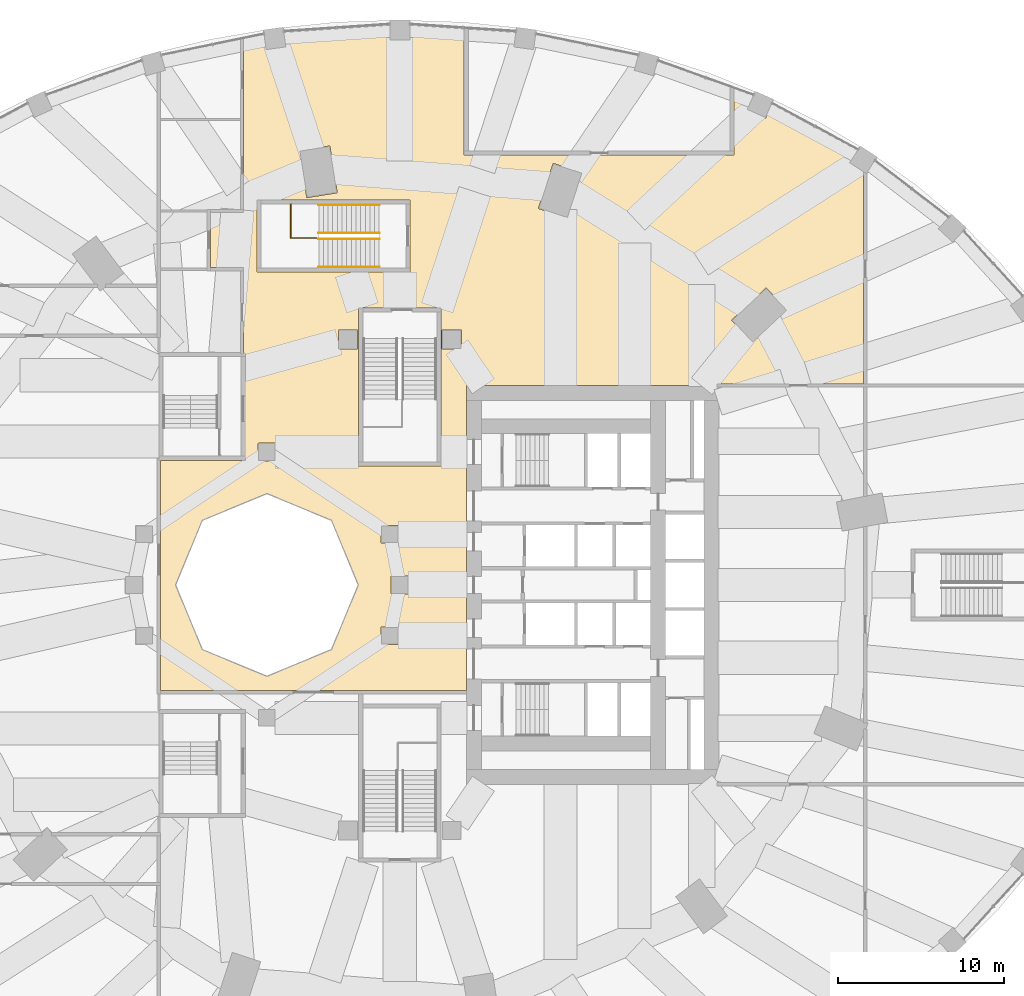
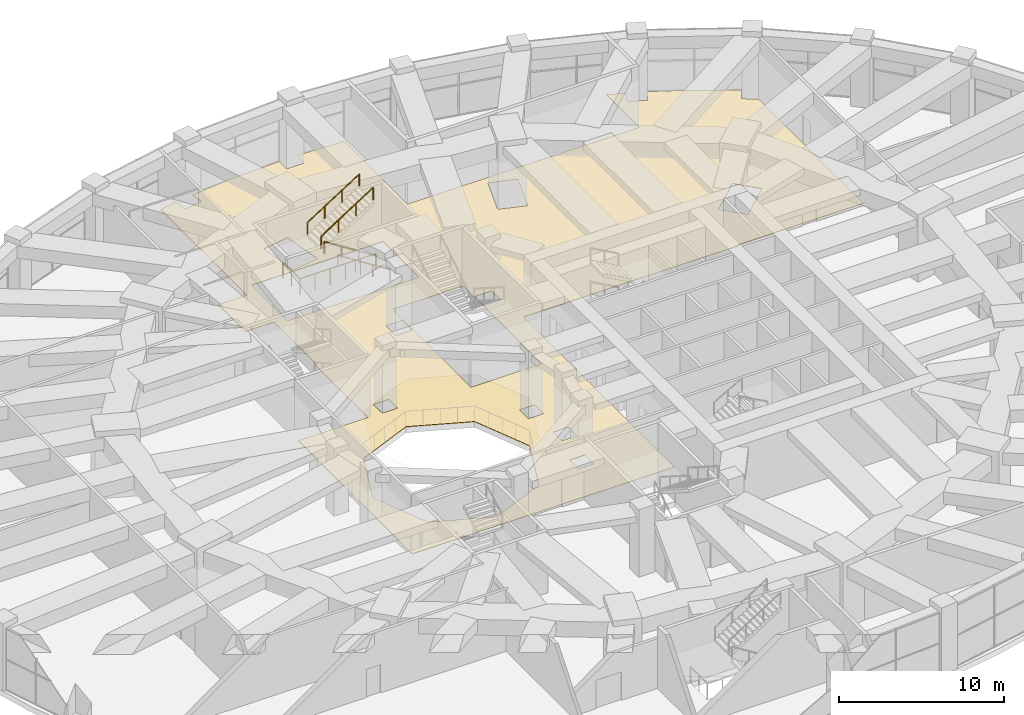
# One storey, part 31 of 32: 5 railings, 1 covering.
"""IFC4 building model written with IfcOpenShell, lengths in metres."""

from ifc_helpers import new_model, si_unit, direction, frame, origin, origin_2d, place, context, subcontext, project, spatial, polyline, circle, outline, extrude, material, layer, layer_set, type_object, element, save


model = new_model("IFC4")

# Units and contexts
model_context = context("Model", 3, precision=1e-05, world=origin(), true_north=direction((0.0, 1.0)))
body_context = subcontext(model_context, "Body", "Model", "MODEL_VIEW")
ifc_project = project(units=[si_unit("LENGTHUNIT", "METRE"), si_unit("AREAUNIT", "SQUARE_METRE"), si_unit("VOLUMEUNIT", "CUBIC_METRE"), si_unit("PLANEANGLEUNIT", "RADIAN"), si_unit("MASSUNIT", "GRAM", prefix="KILO")], contexts=[model_context])

# Site, building, storey
site_placement = place(None, origin())
site = spatial("IfcSite", under=ifc_project, at=site_placement, CompositionType="ELEMENT")
building_placement = place(site_placement, origin())
building = spatial("IfcBuilding", under=site, at=building_placement, Name="Taillehof Tower", CompositionType="ELEMENT")
storey_placement = place(building_placement, frame((0.0, 0.0, 7.5)))
storey = spatial("IfcBuildingStorey", under=building, at=storey_placement, Name="L01", CompositionType="ELEMENT", Elevation=7.5)

# Covering
ifc_material_1 = material(Name="Terrazzo floor finish")
ifc_layer = layer(ifc_material_1, 0.030029296875)
ifc_layer_set = layer_set([ifc_layer], Name="Floor finish 30 mm")
covering_type = type_object("IfcCoveringType", Name="Floor finish 30 mm", PredefinedType="FLOORING", material=ifc_layer_set)
covering_placement = place(storey_placement, origin())
element("IfcCovering", 1, at=covering_placement, inside=storey, type_object=covering_type, Name="Floor finish L01-27", PredefinedType="FLOORING", context=body_context, shape_type="SweptSolid", body=[
    extrude(outline(polyline([(4.0, -6.35009765625), (-14.39990234375, -6.35009765625), (-14.39990234375, 7.5), (-9.5, 7.5), (-9.5, 13.89990234375), (-9.39990234375, 13.89990234375), (-9.39990234375, 18.89990234375), (-9.39990234375, 19.10009765625), (-11.39990234375, 19.10009765625), (-11.39990234375, 22.39990234375), (-9.39990234375, 22.39990234375), (-9.39990234375, 22.60009765625), (-9.39990234375, 27.89990234375), (-9.39990234375, 32.87841796875), (-8.1982421875, 33.083740234375), (-8.07958984375, 32.213134765625), (-8.0791015625, 32.210205078125), (-8.078125, 32.207275390625), (-8.0771484375, 32.20458984375), (-8.07568359375, 32.201904296875), (-8.07421875, 32.199462890625), (-8.072265625, 32.197265625), (-8.0703125, 32.195068359375), (-8.06787109375, 32.193115234375), (-8.065673828125, 32.19140625), (-8.06298828125, 32.190185546875), (-8.060302734375, 32.18896484375), (-8.057373046875, 32.18798828125), (-8.0546875, 32.1875), (-8.0517578125, 32.18701171875), (-8.048828125, 32.18701171875), (-8.0458984375, 32.187255859375), (-6.856689453125, 32.349365234375), (-6.853759765625, 32.349853515625), (-6.85107421875, 32.350830078125), (-6.848388671875, 32.351806640625), (-6.845703125, 32.353271484375), (-6.84326171875, 32.354736328125), (-6.8408203125, 32.356689453125), (-6.8388671875, 32.358642578125), (-6.8369140625, 32.36083984375), (-6.835205078125, 32.36328125), (-6.833740234375, 32.365966796875), (-6.832763671875, 32.36865234375), (-6.831787109375, 32.371337890625), (-6.831298828125, 32.374267578125), (-6.830810546875, 32.377197265625), (-6.830810546875, 32.380126953125), (-6.8310546875, 32.383056640625), (-6.94970703125, 33.253173828125), (-3.806640625, 33.572021484375), (-0.6298828125, 33.678955078125), (-0.6298828125, 32.800048828125), (-0.6298828125, 32.797119140625), (-0.62939453125, 32.794189453125), (-0.628662109375, 32.791259765625), (-0.627685546875, 32.78857421875), (-0.62646484375, 32.785888671875), (-0.625, 32.783447265625), (-0.623291015625, 32.781005859375), (-0.62109375, 32.77880859375), (-0.619140625, 32.77685546875), (-0.61669921875, 32.775146484375), (-0.6142578125, 32.7734375), (-0.611572265625, 32.772216796875), (-0.608642578125, 32.771240234375), (-0.60595703125, 32.7705078125), (-0.60302734375, 32.770263671875), (-0.60009765625, 32.77001953125), (0.60009765625, 32.77001953125), (0.60302734375, 32.770263671875), (0.60595703125, 32.7705078125), (0.608642578125, 32.771240234375), (0.611572265625, 32.772216796875), (0.6142578125, 32.7734375), (0.61669921875, 32.775146484375), (0.619140625, 32.77685546875), (0.62109375, 32.77880859375), (0.623291015625, 32.781005859375), (0.625, 32.783447265625), (0.62646484375, 32.785888671875), (0.627685546875, 32.78857421875), (0.628662109375, 32.791259765625), (0.62939453125, 32.794189453125), (0.6298828125, 32.797119140625), (0.6298828125, 32.800048828125), (0.6298828125, 33.678955078125), (3.806640625, 33.572021484375), (3.875, 33.56494140625), (3.875, 26.125), (3.875, 25.875), (20.125, 25.875), (20.125, 26.125), (20.125, 29.878173828125), (21.236328125, 29.432373046875), (20.880126953125, 28.634033203125), (20.879150390625, 28.63134765625), (20.87841796875, 28.62841796875), (20.8779296875, 28.62548828125), (20.877685546875, 28.62255859375), (20.877685546875, 28.61962890625), (20.8779296875, 28.61669921875), (20.878662109375, 28.61376953125), (20.879638671875, 28.611083984375), (20.880859375, 28.6083984375), (20.88232421875, 28.605712890625), (20.8837890625, 28.603271484375), (20.8857421875, 28.60107421875), (20.887939453125, 28.59912109375), (20.890380859375, 28.59716796875), (20.892822265625, 28.595703125), (20.895263671875, 28.594482421875), (21.9912109375, 28.10546875), (21.993896484375, 28.1044921875), (21.996826171875, 28.103515625), (21.999755859375, 28.10302734375), (22.002685546875, 28.102783203125), (22.005615234375, 28.10302734375), (22.008544921875, 28.103271484375), (22.011474609375, 28.10400390625), (22.01416015625, 28.104736328125), (22.016845703125, 28.10595703125), (22.01953125, 28.107421875), (22.02197265625, 28.109130859375), (22.024169921875, 28.111083984375), (22.026123046875, 28.11328125), (22.028076171875, 28.115478515625), (22.029541015625, 28.117919921875), (22.031005859375, 28.12060546875), (22.387939453125, 28.921142578125), (25.055419921875, 27.611572265625), (27.51611328125, 26.156494140625), (27.0419921875, 25.42529296875), (27.04052734375, 25.422607421875), (27.039306640625, 25.419921875), (27.038330078125, 25.417236328125), (27.03759765625, 25.414306640625), (27.037109375, 25.411376953125), (27.037109375, 25.408447265625), (27.037353515625, 25.405517578125), (27.037841796875, 25.402587890625), (27.03857421875, 25.399658203125), (27.03955078125, 25.39697265625), (27.040771484375, 25.394287109375), (27.04248046875, 25.391845703125), (27.044189453125, 25.389404296875), (27.046142578125, 25.387451171875), (27.04833984375, 25.385498046875), (27.05078125, 25.3837890625), (27.89990234375, 24.8330078125), (27.89990234375, 12.10009765625), (19.10009765625, 12.10009765625), (19.10009765625, 12.0), (4.0, 12.0), (4.0, -6.35009765625)]), holes=[polyline([(-13.5, 0.0), (-11.88916015625, -3.88916015625), (-8.0, -5.5), (-4.11083984375, -3.88916015625), (-2.5, 0.0), (-4.11083984375, 3.88916015625), (-8.0, 5.5), (-11.88916015625, 3.88916015625), (-13.5, 0.0)]), polyline([(2.47509765625, 16.419921875), (2.47509765625, 16.669921875), (-2.22509765625, 16.669921875), (-2.47509765625, 16.669921875), (-2.47509765625, 7.39990234375), (-2.47509765625, 7.14990234375), (2.47509765625, 7.14990234375), (2.47509765625, 7.39990234375), (2.47509765625, 16.419921875)]), polyline([(0.610107421875, 18.824951171875), (0.610107421875, 19.074951171875), (0.610107421875, 19.074951171875), (0.610107421875, 22.925048828125), (0.610107421875, 22.925048828125), (0.610107421875, 23.175048828125), (-8.360107421875, 23.175048828125), (-8.610107421875, 23.175048828125), (-8.610107421875, 19.074951171875), (-8.610107421875, 18.824951171875), (0.610107421875, 18.824951171875)]), polyline([(-1.123046875, -3.587890625), (-1.120361328125, -3.589111328125), (-1.11767578125, -3.590087890625), (-1.11474609375, -3.5908203125), (-1.11181640625, -3.59130859375), (-1.10888671875, -3.591552734375), (-0.10888671875, -3.591552734375), (-0.10595703125, -3.59130859375), (-0.10302734375, -3.5908203125), (-0.100341796875, -3.590087890625), (-0.097412109375, -3.589111328125), (-0.0947265625, -3.587890625), (-0.09228515625, -3.58642578125), (-0.08984375, -3.584716796875), (-0.087646484375, -3.582763671875), (-0.085693359375, -3.58056640625), (-0.083984375, -3.578125), (-0.08251953125, -3.57568359375), (-0.081298828125, -3.572998046875), (-0.080322265625, -3.570068359375), (-0.07958984375, -3.5673828125), (-0.0791015625, -3.564453125), (-0.078857421875, -3.5615234375), (-0.078857421875, -2.5615234375), (-0.0791015625, -2.55859375), (-0.07958984375, -2.5556640625), (-0.080322265625, -2.552734375), (-0.081298828125, -2.550048828125), (-0.08251953125, -2.54736328125), (-0.083984375, -2.544921875), (-0.085693359375, -2.54248046875), (-0.087646484375, -2.540283203125), (-0.08984375, -2.538330078125), (-0.09228515625, -2.53662109375), (-0.0947265625, -2.534912109375), (-0.097412109375, -2.53369140625), (-0.100341796875, -2.53271484375), (-0.10302734375, -2.531982421875), (-0.10595703125, -2.531494140625), (-0.10888671875, -2.531494140625), (-1.10888671875, -2.531494140625), (-1.11181640625, -2.531494140625), (-1.11474609375, -2.531982421875), (-1.11767578125, -2.53271484375), (-1.120361328125, -2.53369140625), (-1.123046875, -2.534912109375), (-1.125732421875, -2.53662109375), (-1.1279296875, -2.538330078125), (-1.130126953125, -2.540283203125), (-1.132080078125, -2.54248046875), (-1.1337890625, -2.544921875), (-1.135498046875, -2.54736328125), (-1.13671875, -2.550048828125), (-1.1376953125, -2.552734375), (-1.138427734375, -2.5556640625), (-1.138916015625, -2.55859375), (-1.138916015625, -2.5615234375), (-1.138916015625, -3.5615234375), (-1.138916015625, -3.564453125), (-1.138427734375, -3.5673828125), (-1.1376953125, -3.570068359375), (-1.13671875, -3.572998046875), (-1.135498046875, -3.57568359375), (-1.1337890625, -3.578125), (-1.132080078125, -3.58056640625), (-1.130126953125, -3.582763671875), (-1.1279296875, -3.584716796875), (-1.125732421875, -3.58642578125), (-1.123046875, -3.587890625)]), polyline([(-0.511474609375, -0.52783203125), (-0.5087890625, -0.52880859375), (-0.505859375, -0.529541015625), (-0.5029296875, -0.52978515625), (-0.5, -0.530029296875), (0.5, -0.530029296875), (0.5029296875, -0.52978515625), (0.505859375, -0.529541015625), (0.5087890625, -0.52880859375), (0.511474609375, -0.52783203125), (0.51416015625, -0.5263671875), (0.5166015625, -0.52490234375), (0.51904296875, -0.523193359375), (0.521240234375, -0.521240234375), (0.523193359375, -0.51904296875), (0.52490234375, -0.5166015625), (0.5263671875, -0.51416015625), (0.52783203125, -0.511474609375), (0.52880859375, -0.5087890625), (0.529541015625, -0.505859375), (0.52978515625, -0.5029296875), (0.530029296875, -0.5), (0.530029296875, 0.5), (0.52978515625, 0.5029296875), (0.529541015625, 0.505859375), (0.52880859375, 0.5087890625), (0.52783203125, 0.511474609375), (0.5263671875, 0.51416015625), (0.52490234375, 0.5166015625), (0.523193359375, 0.51904296875), (0.521240234375, 0.521240234375), (0.51904296875, 0.523193359375), (0.5166015625, 0.52490234375), (0.51416015625, 0.5263671875), (0.511474609375, 0.52783203125), (0.5087890625, 0.52880859375), (0.505859375, 0.529541015625), (0.5029296875, 0.52978515625), (0.5, 0.530029296875), (-0.5, 0.530029296875), (-0.5029296875, 0.52978515625), (-0.505859375, 0.529541015625), (-0.5087890625, 0.52880859375), (-0.511474609375, 0.52783203125), (-0.51416015625, 0.5263671875), (-0.5166015625, 0.52490234375), (-0.51904296875, 0.523193359375), (-0.521240234375, 0.521240234375), (-0.523193359375, 0.51904296875), (-0.52490234375, 0.5166015625), (-0.5263671875, 0.51416015625), (-0.52783203125, 0.511474609375), (-0.52880859375, 0.5087890625), (-0.529541015625, 0.505859375), (-0.52978515625, 0.5029296875), (-0.530029296875, 0.5), (-0.530029296875, -0.5), (-0.52978515625, -0.5029296875), (-0.529541015625, -0.505859375), (-0.52880859375, -0.5087890625), (-0.52783203125, -0.511474609375), (-0.5263671875, -0.51416015625), (-0.52490234375, -0.5166015625), (-0.523193359375, -0.51904296875), (-0.521240234375, -0.521240234375), (-0.51904296875, -0.523193359375), (-0.5166015625, -0.52490234375), (-0.51416015625, -0.5263671875), (-0.511474609375, -0.52783203125)]), polyline([(-1.120361328125, 2.53369140625), (-1.11767578125, 2.53271484375), (-1.11474609375, 2.531982421875), (-1.11181640625, 2.531494140625), (-1.10888671875, 2.531494140625), (-0.10888671875, 2.531494140625), (-0.10595703125, 2.531494140625), (-0.10302734375, 2.531982421875), (-0.100341796875, 2.53271484375), (-0.097412109375, 2.53369140625), (-0.0947265625, 2.534912109375), (-0.09228515625, 2.53662109375), (-0.08984375, 2.538330078125), (-0.087646484375, 2.540283203125), (-0.085693359375, 2.54248046875), (-0.083984375, 2.544921875), (-0.08251953125, 2.54736328125), (-0.081298828125, 2.550048828125), (-0.080322265625, 2.552734375), (-0.07958984375, 2.5556640625), (-0.0791015625, 2.55859375), (-0.078857421875, 2.5615234375), (-0.078857421875, 3.5615234375), (-0.0791015625, 3.564453125), (-0.07958984375, 3.5673828125), (-0.080322265625, 3.570068359375), (-0.081298828125, 3.572998046875), (-0.08251953125, 3.57568359375), (-0.083984375, 3.578125), (-0.085693359375, 3.58056640625), (-0.087646484375, 3.582763671875), (-0.08984375, 3.584716796875), (-0.09228515625, 3.58642578125), (-0.0947265625, 3.587890625), (-0.097412109375, 3.589111328125), (-0.100341796875, 3.590087890625), (-0.10302734375, 3.5908203125), (-0.10595703125, 3.59130859375), (-0.10888671875, 3.591552734375), (-1.10888671875, 3.591552734375), (-1.11181640625, 3.59130859375), (-1.11474609375, 3.5908203125), (-1.11767578125, 3.590087890625), (-1.120361328125, 3.589111328125), (-1.123046875, 3.587890625), (-1.125732421875, 3.58642578125), (-1.1279296875, 3.584716796875), (-1.130126953125, 3.582763671875), (-1.132080078125, 3.58056640625), (-1.1337890625, 3.578125), (-1.135498046875, 3.57568359375), (-1.13671875, 3.572998046875), (-1.1376953125, 3.570068359375), (-1.138427734375, 3.5673828125), (-1.138916015625, 3.564453125), (-1.138916015625, 3.5615234375), (-1.138916015625, 2.5615234375), (-1.138916015625, 2.55859375), (-1.138427734375, 2.5556640625), (-1.1376953125, 2.552734375), (-1.13671875, 2.550048828125), (-1.135498046875, 2.54736328125), (-1.1337890625, 2.544921875), (-1.132080078125, 2.54248046875), (-1.130126953125, 2.540283203125), (-1.1279296875, 2.538330078125), (-1.125732421875, 2.53662109375), (-1.123046875, 2.534912109375), (-1.120361328125, 2.53369140625)]), polyline([(-8.511474609375, 7.47216796875), (-8.5087890625, 7.47119140625), (-8.505859375, 7.470458984375), (-8.5029296875, 7.47021484375), (-8.5, 7.469970703125), (-7.5, 7.469970703125), (-7.4970703125, 7.47021484375), (-7.494140625, 7.470458984375), (-7.4912109375, 7.47119140625), (-7.488525390625, 7.47216796875), (-7.48583984375, 7.4736328125), (-7.4833984375, 7.47509765625), (-7.48095703125, 7.476806640625), (-7.478759765625, 7.478759765625), (-7.476806640625, 7.48095703125), (-7.47509765625, 7.4833984375), (-7.4736328125, 7.48583984375), (-7.47216796875, 7.488525390625), (-7.47119140625, 7.4912109375), (-7.470458984375, 7.494140625), (-7.47021484375, 7.4970703125), (-7.469970703125, 7.5), (-7.469970703125, 8.5), (-7.47021484375, 8.5029296875), (-7.470458984375, 8.505859375), (-7.47119140625, 8.5087890625), (-7.47216796875, 8.511474609375), (-7.4736328125, 8.51416015625), (-7.47509765625, 8.5166015625), (-7.476806640625, 8.51904296875), (-7.478759765625, 8.521240234375), (-7.48095703125, 8.523193359375), (-7.4833984375, 8.52490234375), (-7.48583984375, 8.5263671875), (-7.488525390625, 8.52783203125), (-7.4912109375, 8.52880859375), (-7.494140625, 8.529541015625), (-7.4970703125, 8.52978515625), (-7.5, 8.530029296875), (-8.5, 8.530029296875), (-8.5029296875, 8.52978515625), (-8.505859375, 8.529541015625), (-8.5087890625, 8.52880859375), (-8.511474609375, 8.52783203125), (-8.51416015625, 8.5263671875), (-8.5166015625, 8.52490234375), (-8.51904296875, 8.523193359375), (-8.521240234375, 8.521240234375), (-8.523193359375, 8.51904296875), (-8.52490234375, 8.5166015625), (-8.5263671875, 8.51416015625), (-8.52783203125, 8.511474609375), (-8.52880859375, 8.5087890625), (-8.529541015625, 8.505859375), (-8.52978515625, 8.5029296875), (-8.530029296875, 8.5), (-8.530029296875, 7.5), (-8.52978515625, 7.4970703125), (-8.529541015625, 7.494140625), (-8.52880859375, 7.4912109375), (-8.52783203125, 7.488525390625), (-8.5263671875, 7.48583984375), (-8.52490234375, 7.4833984375), (-8.523193359375, 7.48095703125), (-8.521240234375, 7.478759765625), (-8.51904296875, 7.476806640625), (-8.5166015625, 7.47509765625), (-8.51416015625, 7.4736328125), (-8.511474609375, 7.47216796875)]), polyline([(-3.687255859375, 14.1943359375), (-3.684326171875, 14.193359375), (-3.681640625, 14.192626953125), (-3.6787109375, 14.1923828125), (-3.67578125, 14.192138671875), (-2.57568359375, 14.192138671875), (-2.57275390625, 14.1923828125), (-2.56982421875, 14.192626953125), (-2.56689453125, 14.193359375), (-2.564208984375, 14.1943359375), (-2.5615234375, 14.195556640625), (-2.55908203125, 14.197265625), (-2.556640625, 14.198974609375), (-2.554443359375, 14.200927734375), (-2.552490234375, 14.203125), (-2.55078125, 14.20556640625), (-2.54931640625, 14.2080078125), (-2.5478515625, 14.210693359375), (-2.546875, 14.21337890625), (-2.546142578125, 14.21630859375), (-2.5458984375, 14.21923828125), (-2.545654296875, 14.22216796875), (-2.545654296875, 15.322021484375), (-2.5458984375, 15.324951171875), (-2.546142578125, 15.327880859375), (-2.546875, 15.330810546875), (-2.5478515625, 15.33349609375), (-2.54931640625, 15.336181640625), (-2.55078125, 15.3388671875), (-2.552490234375, 15.341064453125), (-2.554443359375, 15.34326171875), (-2.556640625, 15.34521484375), (-2.55908203125, 15.34716796875), (-2.5615234375, 15.3486328125), (-2.564208984375, 15.349853515625), (-2.56689453125, 15.350830078125), (-2.56982421875, 15.3515625), (-2.57275390625, 15.35205078125), (-2.57568359375, 15.35205078125), (-3.67578125, 15.35205078125), (-3.6787109375, 15.35205078125), (-3.681640625, 15.3515625), (-3.684326171875, 15.350830078125), (-3.687255859375, 15.349853515625), (-3.689697265625, 15.3486328125), (-3.6923828125, 15.34716796875), (-3.694580078125, 15.34521484375), (-3.69677734375, 15.34326171875), (-3.698974609375, 15.341064453125), (-3.70068359375, 15.3388671875), (-3.7021484375, 15.336181640625), (-3.703369140625, 15.33349609375), (-3.704345703125, 15.330810546875), (-3.705078125, 15.327880859375), (-3.70556640625, 15.324951171875), (-3.70556640625, 15.322021484375), (-3.70556640625, 14.22216796875), (-3.70556640625, 14.21923828125), (-3.705078125, 14.21630859375), (-3.704345703125, 14.21337890625), (-3.703369140625, 14.210693359375), (-3.7021484375, 14.2080078125), (-3.70068359375, 14.20556640625), (-3.698974609375, 14.203125), (-3.69677734375, 14.200927734375), (-3.694580078125, 14.198974609375), (-3.6923828125, 14.197265625), (-3.689697265625, 14.195556640625), (-3.687255859375, 14.1943359375)]), polyline([(2.564208984375, 14.1943359375), (2.56689453125, 14.193359375), (2.56982421875, 14.192626953125), (2.57275390625, 14.1923828125), (2.57568359375, 14.192138671875), (3.67578125, 14.192138671875), (3.6787109375, 14.1923828125), (3.681640625, 14.192626953125), (3.684326171875, 14.193359375), (3.687255859375, 14.1943359375), (3.689697265625, 14.195556640625), (3.6923828125, 14.197265625), (3.694580078125, 14.198974609375), (3.69677734375, 14.200927734375), (3.698974609375, 14.203125), (3.70068359375, 14.20556640625), (3.7021484375, 14.2080078125), (3.703369140625, 14.210693359375), (3.704345703125, 14.21337890625), (3.705078125, 14.21630859375), (3.70556640625, 14.21923828125), (3.70556640625, 14.22216796875), (3.70556640625, 15.322021484375), (3.70556640625, 15.324951171875), (3.705078125, 15.327880859375), (3.704345703125, 15.330810546875), (3.703369140625, 15.33349609375), (3.7021484375, 15.336181640625), (3.70068359375, 15.3388671875), (3.698974609375, 15.341064453125), (3.69677734375, 15.34326171875), (3.694580078125, 15.34521484375), (3.6923828125, 15.34716796875), (3.689697265625, 15.3486328125), (3.687255859375, 15.349853515625), (3.684326171875, 15.350830078125), (3.681640625, 15.3515625), (3.6787109375, 15.35205078125), (3.67578125, 15.35205078125), (2.57568359375, 15.35205078125), (2.57275390625, 15.35205078125), (2.56982421875, 15.3515625), (2.56689453125, 15.350830078125), (2.564208984375, 15.349853515625), (2.5615234375, 15.3486328125), (2.55908203125, 15.34716796875), (2.556640625, 15.34521484375), (2.554443359375, 15.34326171875), (2.552490234375, 15.341064453125), (2.55078125, 15.3388671875), (2.54931640625, 15.336181640625), (2.5478515625, 15.33349609375), (2.546875, 15.330810546875), (2.546142578125, 15.327880859375), (2.5458984375, 15.324951171875), (2.545654296875, 15.322021484375), (2.545654296875, 14.22216796875), (2.5458984375, 14.21923828125), (2.546142578125, 14.21630859375), (2.546875, 14.21337890625), (2.5478515625, 14.210693359375), (2.54931640625, 14.2080078125), (2.55078125, 14.20556640625), (2.552490234375, 14.203125), (2.554443359375, 14.200927734375), (2.556640625, 14.198974609375), (2.55908203125, 14.197265625), (2.5615234375, 14.195556640625), (2.564208984375, 14.1943359375)]), polyline([(-3.768798828125, 23.6171875), (-3.768310546875, 23.619873046875), (-3.76806640625, 23.622802734375), (-3.76806640625, 23.6259765625), (-3.768310546875, 23.62890625), (-4.20556640625, 26.39453125), (-4.2060546875, 26.397216796875), (-4.20703125, 26.400146484375), (-4.208251953125, 26.40283203125), (-4.209716796875, 26.405517578125), (-4.211181640625, 26.407958984375), (-4.213134765625, 26.41015625), (-4.21533203125, 26.412109375), (-4.217529296875, 26.4140625), (-4.219970703125, 26.41552734375), (-4.22265625, 26.4169921875), (-4.225341796875, 26.418212890625), (-4.228271484375, 26.4189453125), (-4.231201171875, 26.41943359375), (-4.234130859375, 26.419677734375), (-4.237060546875, 26.419677734375), (-4.239990234375, 26.41943359375), (-6.017822265625, 26.138427734375), (-6.020751953125, 26.1376953125), (-6.0234375, 26.13671875), (-6.026123046875, 26.1357421875), (-6.02880859375, 26.13427734375), (-6.03125, 26.132568359375), (-6.033447265625, 26.130615234375), (-6.03564453125, 26.128662109375), (-6.037353515625, 26.126220703125), (-6.0390625, 26.123779296875), (-6.040283203125, 26.121337890625), (-6.04150390625, 26.118408203125), (-6.042236328125, 26.11572265625), (-6.042724609375, 26.11279296875), (-6.043212890625, 26.10986328125), (-6.04296875, 26.10693359375), (-6.042724609375, 26.10400390625), (-5.60546875, 23.33837890625), (-5.60498046875, 23.33544921875), (-5.60400390625, 23.332763671875), (-5.60302734375, 23.329833984375), (-5.6015625, 23.327392578125), (-5.599853515625, 23.324951171875), (-5.597900390625, 23.32275390625), (-5.595947265625, 23.320556640625), (-5.593505859375, 23.31884765625), (-5.591064453125, 23.317138671875), (-5.58837890625, 23.315673828125), (-5.585693359375, 23.314697265625), (-5.5830078125, 23.31396484375), (-5.580078125, 23.313232421875), (-5.5771484375, 23.31298828125), (-5.57421875, 23.31298828125), (-5.5712890625, 23.3134765625), (-3.793212890625, 23.594482421875), (-3.79052734375, 23.594970703125), (-3.78759765625, 23.595947265625), (-3.784912109375, 23.59716796875), (-3.7822265625, 23.5986328125), (-3.77978515625, 23.60009765625), (-3.777587890625, 23.60205078125), (-3.775634765625, 23.604248046875), (-3.773681640625, 23.6064453125), (-3.772216796875, 23.60888671875), (-3.770751953125, 23.611572265625), (-3.76953125, 23.6142578125), (-3.768798828125, 23.6171875)]), polyline([(21.244140625, 14.588623046875), (21.246826171875, 14.589599609375), (21.24951171875, 14.591064453125), (21.251953125, 14.5927734375), (21.254150390625, 14.5947265625), (23.29833984375, 16.508056640625), (23.300537109375, 16.51025390625), (23.30224609375, 16.512451171875), (23.303955078125, 16.514892578125), (23.30517578125, 16.517578125), (23.306396484375, 16.520263671875), (23.30712890625, 16.523193359375), (23.3076171875, 16.526123046875), (23.307861328125, 16.529052734375), (23.307861328125, 16.531982421875), (23.3076171875, 16.534912109375), (23.306884765625, 16.53759765625), (23.305908203125, 16.54052734375), (23.304931640625, 16.543212890625), (23.303466796875, 16.545654296875), (23.3017578125, 16.548095703125), (23.2998046875, 16.550537109375), (22.06982421875, 17.86474609375), (22.067626953125, 17.86669921875), (22.0654296875, 17.868408203125), (22.06298828125, 17.8701171875), (22.060302734375, 17.87158203125), (22.0576171875, 17.87255859375), (22.0546875, 17.873291015625), (22.0517578125, 17.873779296875), (22.048828125, 17.8740234375), (22.0458984375, 17.8740234375), (22.04296875, 17.873779296875), (22.040283203125, 17.873046875), (22.037353515625, 17.872314453125), (22.03466796875, 17.87109375), (22.031982421875, 17.86962890625), (22.02978515625, 17.867919921875), (22.02734375, 17.865966796875), (19.983154296875, 15.95263671875), (19.98095703125, 15.95068359375), (19.979248046875, 15.9482421875), (19.9775390625, 15.94580078125), (19.976318359375, 15.943115234375), (19.97509765625, 15.9404296875), (19.974365234375, 15.937744140625), (19.973876953125, 15.934814453125), (19.9736328125, 15.931884765625), (19.9736328125, 15.928955078125), (19.97412109375, 15.926025390625), (19.974609375, 15.923095703125), (19.9755859375, 15.920166015625), (19.976806640625, 15.91748046875), (19.97802734375, 15.9150390625), (19.979736328125, 15.91259765625), (19.981689453125, 15.910400390625), (21.211669921875, 14.59619140625), (21.2138671875, 14.593994140625), (21.216064453125, 14.59228515625), (21.218505859375, 14.590576171875), (21.22119140625, 14.58935546875), (21.223876953125, 14.588134765625), (21.226806640625, 14.58740234375), (21.229736328125, 14.5869140625), (21.232666015625, 14.586669921875), (21.235595703125, 14.586669921875), (21.238525390625, 14.5869140625), (21.241455078125, 14.587646484375), (21.244140625, 14.588623046875)]), polyline([(10.106201171875, 22.09765625), (10.10791015625, 22.099853515625), (10.109619140625, 22.1025390625), (10.11083984375, 22.10498046875), (10.11181640625, 22.10791015625), (10.98046875, 24.769775390625), (10.981201171875, 24.7724609375), (10.981689453125, 24.775390625), (10.98193359375, 24.7783203125), (10.98193359375, 24.78125), (10.9814453125, 24.7841796875), (10.98095703125, 24.787109375), (10.97998046875, 24.789794921875), (10.978759765625, 24.79248046875), (10.977294921875, 24.795166015625), (10.9755859375, 24.797607421875), (10.9736328125, 24.7998046875), (10.971435546875, 24.8017578125), (10.96923828125, 24.803466796875), (10.966552734375, 24.80517578125), (10.964111328125, 24.806396484375), (10.961181640625, 24.807373046875), (9.25, 25.365966796875), (9.247314453125, 25.36669921875), (9.244384765625, 25.3671875), (9.241455078125, 25.367431640625), (9.238525390625, 25.3671875), (9.235595703125, 25.366943359375), (9.232666015625, 25.3662109375), (9.22998046875, 25.365234375), (9.227294921875, 25.364013671875), (9.224609375, 25.362548828125), (9.22216796875, 25.36083984375), (9.219970703125, 25.359130859375), (9.218017578125, 25.35693359375), (9.21630859375, 25.3544921875), (9.214599609375, 25.35205078125), (9.21337890625, 25.349365234375), (9.212158203125, 25.3466796875), (8.34375, 22.684814453125), (8.3427734375, 22.681884765625), (8.34228515625, 22.678955078125), (8.34228515625, 22.676025390625), (8.34228515625, 22.673095703125), (8.342529296875, 22.670166015625), (8.34326171875, 22.66748046875), (8.34423828125, 22.66455078125), (8.345458984375, 22.661865234375), (8.346923828125, 22.659423828125), (8.3486328125, 22.656982421875), (8.3505859375, 22.65478515625), (8.3525390625, 22.65283203125), (8.35498046875, 22.65087890625), (8.357421875, 22.6494140625), (8.360107421875, 22.64794921875), (8.36279296875, 22.64697265625), (10.073974609375, 22.088623046875), (10.076904296875, 22.087890625), (10.079833984375, 22.08740234375), (10.082763671875, 22.087158203125), (10.085693359375, 22.087158203125), (10.088623046875, 22.087646484375), (10.091552734375, 22.088134765625), (10.09423828125, 22.089111328125), (10.096923828125, 22.09033203125), (10.099609375, 22.091796875), (10.101806640625, 22.093505859375), (10.10400390625, 22.095458984375), (10.106201171875, 22.09765625)])]), origin(), (0.0, 0.0, 1.0), 0.030029296875),
])

# Railings
ifc_material_2 = material(Name="Stainless steel and laminated glass", Category="steel")
railing_type_1 = type_object("IfcRailingType", Name="Guard 1200 mm", PredefinedType="GUARDRAIL", material=ifc_material_2)
railing_placement = place(storey_placement, frame((-1.239990234375, 20.875, 0.0)))
element("IfcRailing", 2, at=railing_placement, inside=storey, type_object=railing_type_1, Name="Guard P3", PredefinedType="GUARDRAIL", context=body_context, shape_type="SweptSolid", body=[
    extrude(circle(Radius=0.02392578125, at=origin_2d()), frame((0.0, 0.0, 1.17578125), z_axis=(-1.0, 0.0, 0.0), x_axis=(0.0, -1.0, 0.0)), (0.0, 0.0, 1.0), 5.320068359375),
    extrude(circle(Radius=0.02392578125, at=origin_2d()), frame((-5.320068359375, 0.0, 1.17578125), z_axis=(0.0, 1.0, 0.0), x_axis=(-1.0, 0.0, 0.0)), (0.0, 0.0, 1.0), 2.050048828125),
    extrude(circle(Radius=0.02099609375, at=origin_2d()), origin(), (0.0, 0.0, 1.0), 1.15185546875),
    extrude(circle(Radius=0.02099609375, at=origin_2d()), frame((-1.06396484375, 0.0, 0.0)), (0.0, 0.0, 1.0), 1.15185546875),
    extrude(circle(Radius=0.02099609375, at=origin_2d()), frame((-2.1279296875, 0.0, 0.0)), (0.0, 0.0, 1.0), 1.15185546875),
    extrude(circle(Radius=0.02099609375, at=origin_2d()), frame((-3.192138671875, 0.0, 0.0)), (0.0, 0.0, 1.0), 1.15185546875),
    extrude(circle(Radius=0.02099609375, at=origin_2d()), frame((-4.256103515625, 0.0, 0.0)), (0.0, 0.0, 1.0), 1.15185546875),
    extrude(circle(Radius=0.02099609375, at=origin_2d()), frame((-5.320068359375, 0.0, 0.0)), (0.0, 0.0, 1.0), 1.15185546875),
    extrude(circle(Radius=0.02099609375, at=origin_2d()), frame((-5.320068359375, 1.02490234375, 0.0)), (0.0, 0.0, 1.0), 1.15185546875),
    extrude(circle(Radius=0.02099609375, at=origin_2d()), frame((-5.320068359375, 2.050048828125, 0.0)), (0.0, 0.0, 1.0), 1.15185546875),
])
ifc_material_3 = material(Name="Stainless steel tube", Category="steel")
railing_type_2 = type_object("IfcRailingType", Name="Handrail 900 mm", PredefinedType="HANDRAIL", material=ifc_material_3)
for number, where, name in (
    (3, (-1.239990234375, 19.135009765625, 0.1787109375), "Handrail P3"),
    (4, (-1.239990234375, 20.81494140625, 0.1787109375), "Handrail P3"),
):
    element("IfcRailing", number, at=place(storey_placement, frame(where)), inside=storey, type_object=railing_type_2, Name=name, PredefinedType="HANDRAIL", context=body_context, shape_type="SweptSolid", body=[
        extrude(circle(Radius=0.02392578125, at=origin_2d()), frame((0.0, 0.0, 0.8759765625), z_axis=(-0.843137146238, 0.0, 0.537698570422), x_axis=(0.0, -1.0, 0.0)), (0.0, 0.0, 1.0), 4.317138671875),
        extrude(circle(Radius=0.02099609375, at=origin_2d()), origin(), (0.0, 0.0, 1.0), 0.851806640625),
        extrude(circle(Radius=0.02099609375, at=origin_2d()), frame((-1.21337890625, 0.0, 0.773681640625)), (0.0, 0.0, 1.0), 0.851806640625),
        extrude(circle(Radius=0.02099609375, at=origin_2d()), frame((-2.426513671875, 0.0, 1.547607421875)), (0.0, 0.0, 1.0), 0.851806640625),
        extrude(circle(Radius=0.02099609375, at=origin_2d()), frame((-3.639892578125, 0.0, 2.3212890625)), (0.0, 0.0, 1.0), 0.851806640625),
    ])
for number, where, name in (
    (5, (-4.8798828125, 21.18505859375, 2.6787109375), "Handrail P3"),
    (6, (-4.8798828125, 22.864990234375, 2.6787109375), "Handrail P3"),
):
    element("IfcRailing", number, at=place(storey_placement, frame(where)), inside=storey, type_object=railing_type_2, Name=name, PredefinedType="HANDRAIL", context=body_context, shape_type="SweptSolid", body=[
        extrude(circle(Radius=0.02392578125, at=origin_2d()), frame((0.0, 0.0, 0.8759765625), z_axis=(0.843137146238, 0.0, 0.537698570422), x_axis=(0.0, 1.0, 0.0)), (0.0, 0.0, 1.0), 4.317138671875),
        extrude(circle(Radius=0.02099609375, at=origin_2d()), origin(), (0.0, 0.0, 1.0), 0.851806640625),
        extrude(circle(Radius=0.02099609375, at=origin_2d()), frame((1.21337890625, 0.0, 0.773681640625)), (0.0, 0.0, 1.0), 0.851806640625),
        extrude(circle(Radius=0.02099609375, at=origin_2d()), frame((2.426513671875, 0.0, 1.547607421875)), (0.0, 0.0, 1.0), 0.851806640625),
        extrude(circle(Radius=0.02099609375, at=origin_2d()), frame((3.639892578125, 0.0, 2.3212890625)), (0.0, 0.0, 1.0), 0.851806640625),
    ])

save(model, "model.ifc")
